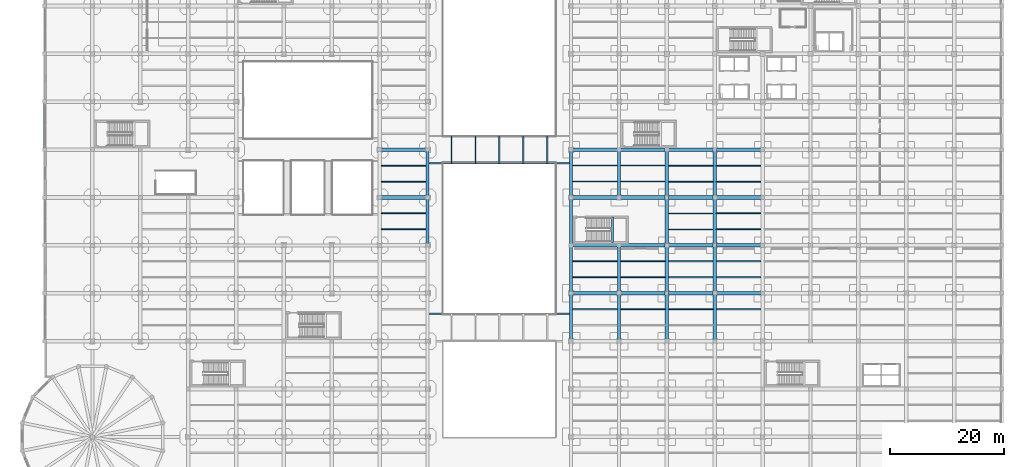
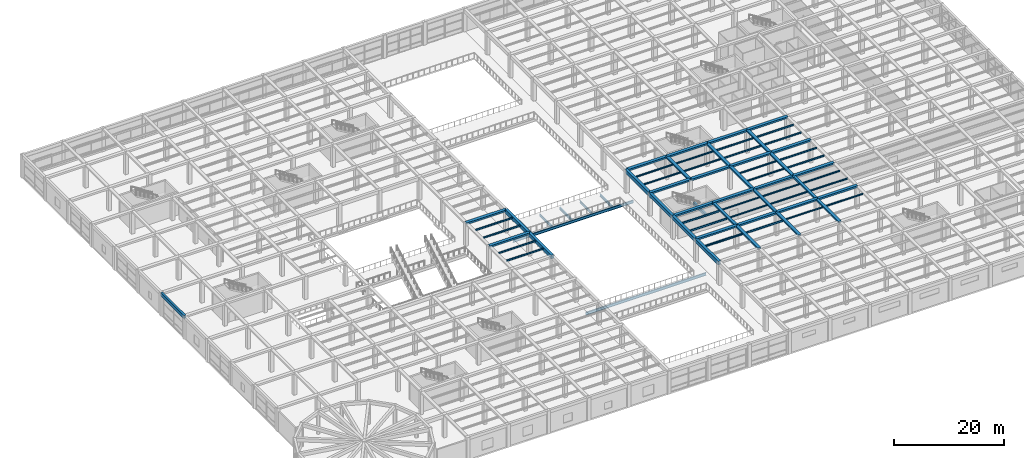
# One storey, part 16 of 65: 72 beams.
"""IFC4 building model written with IfcOpenShell, lengths in metres."""

import ifcopenshell
import ifcopenshell.guid

model = None  # the IFC model being written
_history = None  # IfcOwnerHistory: only IFC2X3 demands one
_inside = {}  # id of a spatial element -> (the spatial element, [elements in it])
_under = {}  # id of a project, library or spatial element -> (it, [spatial elements below it])
_declared = {}  # id of a project -> (the project, [libraries it declares])
_typed = {}  # id of a type object -> (the type object, [elements of that type])
_made_of = {}  # id of a material, layer set ... -> (it, [elements and type objects made of it])


def new_model(schema):
    """Start an empty IFC model of exactly this schema.

    Asked for "IFC4X3", IfcOpenShell would pick the latest addendum, in which some entities
    have other attributes; the version numbers below select the first issue.
    IFC2X3 requires an IfcOwnerHistory on every rooted entity: one is made here for all.
    """
    global model, _history
    if schema == "IFC4X3":
        model = ifcopenshell.file(schema_version=(4, 3, 0, 0))
    else:
        model = ifcopenshell.file(schema=schema)
    _inside.clear()
    _under.clear()
    _declared.clear()
    _typed.clear()
    _made_of.clear()
    _history = None
    if model.schema == "IFC2X3":
        org = make("IfcOrganization", Name="unknown")
        user = make(
            "IfcPersonAndOrganization",
            ThePerson=make("IfcPerson", FamilyName="unknown"),
            TheOrganization=org,
        )
        app = make(
            "IfcApplication",
            ApplicationDeveloper=org,
            Version="unknown",
            ApplicationFullName="unknown",
            ApplicationIdentifier="unknown",
        )
        _history = make(
            "IfcOwnerHistory",
            OwningUser=user,
            OwningApplication=app,
            ChangeAction="ADDED",
            CreationDate=0,
        )
    return model


def make(cls, **values):
    """One entity of the class cls with the attributes given. An attribute that is None is left unset."""
    return model.create_entity(
        cls, **{name: value for name, value in values.items() if value is not None}
    )


def rooted(cls, **values):
    """An entity with a GlobalId (a new one), such as an element, a storey or a relation."""
    return make(cls, GlobalId=ifcopenshell.guid.new(), OwnerHistory=_history, **values)


def si_unit(unit_type, name, prefix=None):
    """IfcSIUnit, for example si_unit("LENGTHUNIT", "METRE", prefix="MILLI")."""
    return make("IfcSIUnit", UnitType=unit_type, Prefix=prefix, Name=name)


def assignment(units):
    """IfcUnitAssignment: the units of a project."""
    return None if units is None else make("IfcUnitAssignment", Units=units)


def point(xyz):
    """IfcCartesianPoint."""
    return None if xyz is None else make("IfcCartesianPoint", Coordinates=xyz)


def direction(xyz):
    """IfcDirection."""
    return None if xyz is None else make("IfcDirection", DirectionRatios=xyz)


def frame(location, z_axis=None, x_axis=None):
    """IfcAxis2Placement3D, a coordinate frame: its origin and axes. An axis left out is left unset."""
    return make(
        "IfcAxis2Placement3D",
        Location=point(location),
        Axis=direction(z_axis),
        RefDirection=direction(x_axis),
    )


def frame_2d(location, x_axis=None):
    """IfcAxis2Placement2D, a coordinate frame in the plane: its origin and x axis."""
    return make(
        "IfcAxis2Placement2D", Location=point(location), RefDirection=direction(x_axis)
    )


def origin():
    """The frame at (0, 0, 0) with its axes left unset."""
    return frame((0.0, 0.0, 0.0))


def origin_2d():
    """The frame at (0, 0) in the plane with its x axis left unset."""
    return frame_2d((0.0, 0.0))


def place(relative_to, where):
    """IfcLocalPlacement: puts the frame where relative to a parent placement (None: the world)."""
    return make(
        "IfcLocalPlacement", PlacementRelTo=relative_to, RelativePlacement=where
    )


def context(
    kind, dimensions, precision=None, world=None, true_north=None, identifier=None
):
    """IfcGeometricRepresentationContext, for example the 3D "Model" context."""
    return make(
        "IfcGeometricRepresentationContext",
        ContextIdentifier=identifier,
        ContextType=kind,
        CoordinateSpaceDimension=dimensions,
        Precision=precision,
        WorldCoordinateSystem=world,
        TrueNorth=true_north,
    )


def subcontext(parent, identifier, kind, view, scale=None):
    """IfcGeometricRepresentationSubContext, for example "Body" below "Model"."""
    return make(
        "IfcGeometricRepresentationSubContext",
        ContextIdentifier=identifier,
        ContextType=kind,
        ParentContext=parent,
        TargetScale=scale,
        TargetView=view,
    )


def project(units=None, contexts=None):
    """IfcProject with its units and contexts."""
    return rooted(
        "IfcProject",
        Name="project",
        RepresentationContexts=contexts,
        UnitsInContext=assignment(units),
    )


def spatial(cls, under=None, at=None, **own):
    """A site, building, storey or space (cls), placed at a placement, below another one or the project."""
    s = rooted(cls, ObjectPlacement=at, **own)
    if under is not None:
        _under.setdefault(under.id(), (under, []))[1].append(s)
    return s


def profile(cls, at=None, kind="AREA", **sizes):
    """A parametric profile (cls). Its sizes go by their IFC names, for example OverallWidth=200.0."""
    return make(cls, ProfileType=kind, Position=at, **sizes)


def rectangle(**sizes):
    """IfcRectangleProfileDef."""
    return profile("IfcRectangleProfileDef", **sizes)


def i_section(**sizes):
    """IfcIShapeProfileDef."""
    return profile("IfcIShapeProfileDef", **sizes)


def extrude(swept, where, along, depth):
    """IfcExtrudedAreaSolid: the profile swept, set in the frame where, extruded along a direction by depth."""
    return make(
        "IfcExtrudedAreaSolid",
        SweptArea=swept,
        Position=where,
        ExtrudedDirection=direction(along),
        Depth=depth,
    )


def shape(context_of_items, identifier, shape_type, items):
    """IfcShapeRepresentation: the items that make up one representation, for example the "Body"."""
    return make(
        "IfcShapeRepresentation",
        ContextOfItems=context_of_items,
        RepresentationIdentifier=identifier,
        RepresentationType=shape_type,
        Items=items,
    )


def material(Name=None, Category=None):
    """IfcMaterial."""
    return make("IfcMaterial", Name=Name, Category=Category)


def material_profile(
    of_material, cross_section, Name=None, Category=None, Priority=None
):
    """IfcMaterialProfile: a cross section and its material."""
    return make(
        "IfcMaterialProfile",
        Name=Name,
        Material=of_material,
        Profile=cross_section,
        Priority=Priority,
        Category=Category,
    )


def profile_set(profiles, Name=None, composite=None):
    """IfcMaterialProfileSet."""
    return make(
        "IfcMaterialProfileSet",
        Name=Name,
        MaterialProfiles=profiles,
        CompositeProfile=composite,
    )


def made_of(thing, what):
    """Note that an element or type object is made of a material, layer set ...; save() writes the relation."""
    if what is not None:
        _made_of.setdefault(what.id(), (what, []))[1].append(thing)
    return thing


def type_object(cls, material=None, **own):
    """A type object (cls), such as IfcWallType, which elements share."""
    return made_of(rooted(cls, **own), material)


def element(
    cls,
    number,
    at=None,
    inside=None,
    cuts=None,
    type_object=None,
    material=None,
    context=None,
    identifier="Body",
    shape_type=None,
    held_by="IfcProductDefinitionShape",
    body=None,
    shapes=None,
    **own,
):
    """One element of the class cls, such as IfcWall. Its Tag is "e" and its number.

    at: its placement. inside: the storey or other place that contains it. cuts: it is an
    opening in that element (IfcRelVoidsElement). A single representation is given by context,
    identifier, shape_type and body (its items); several are given by shapes. held_by: the class
    of the entity that holds the representations. save() writes the other relations.
    """
    e = rooted(cls, Tag="e%d" % number, ObjectPlacement=at, **own)
    if body is not None:
        shapes = [shape(context, identifier, shape_type, body)]
    if shapes is not None:
        e.Representation = make(held_by, Representations=shapes)
    if inside is not None:
        _inside.setdefault(inside.id(), (inside, []))[1].append(e)
    if cuts is not None:
        rooted(
            "IfcRelVoidsElement", RelatingBuildingElement=cuts, RelatedOpeningElement=e
        )
    if type_object is not None:
        _typed.setdefault(type_object.id(), (type_object, []))[1].append(e)
    return made_of(e, material)


def aggregate(whole, parts):
    """IfcRelAggregates: a whole, such as a stair, and the parts it consists of."""
    return rooted("IfcRelAggregates", RelatingObject=whole, RelatedObjects=parts)


def save(model, path):
    """Write the relations noted so far, then the file.

    IfcRelAggregates (storeys below a building ...), IfcRelContainedInSpatialStructure (elements
    in a storey), IfcRelDefinesByType, IfcRelAssociatesMaterial and IfcRelDeclares: one each for
    every whole, place, type object, material and project.
    """
    for whole, parts in _under.values():
        aggregate(whole, parts)
    for where, things in _inside.values():
        rooted(
            "IfcRelContainedInSpatialStructure",
            RelatedElements=things,
            RelatingStructure=where,
        )
    for kind, things in _typed.values():
        rooted("IfcRelDefinesByType", RelatedObjects=things, RelatingType=kind)
    for what, things in _made_of.values():
        rooted("IfcRelAssociatesMaterial", RelatedObjects=things, RelatingMaterial=what)
    for by, libraries in _declared.values():
        rooted("IfcRelDeclares", RelatingContext=by, RelatedDefinitions=libraries)
    model.write(path)


model = new_model("IFC4")

# Units and contexts
model_context = context("Model", 3, precision=1e-05, world=origin(), true_north=direction((0.0, 1.0)))
body_context = subcontext(model_context, "Body", "Model", "MODEL_VIEW")
ifc_project = project(units=[si_unit("LENGTHUNIT", "METRE"), si_unit("AREAUNIT", "SQUARE_METRE"), si_unit("VOLUMEUNIT", "CUBIC_METRE"), si_unit("PLANEANGLEUNIT", "RADIAN"), si_unit("MASSUNIT", "GRAM", prefix="KILO")], contexts=[model_context])

# Site, building, storey
site_placement = place(None, origin())
site = spatial("IfcSite", under=ifc_project, at=site_placement, CompositionType="ELEMENT")
building_placement = place(site_placement, origin())
building = spatial("IfcBuilding", under=site, at=building_placement, Name="Almacenes y Pasaje Nevantli", CompositionType="ELEMENT")
storey_placement = place(building_placement, frame((0.0, 0.0, 16.800048828125)))
storey = spatial("IfcBuildingStorey", under=building, at=storey_placement, Name="L04", CompositionType="ELEMENT", Elevation=16.800048828125)

# Beams
ifc_material_1 = material(Name="Concrete C35/45", Category="concrete")
ifc_material_profile_1 = material_profile(ifc_material_1, rectangle(XDim=0.39990234375, YDim=0.60009765625, at=origin_2d()), Name="RC-BM-400x600")
ifc_profile_set_1 = profile_set([ifc_material_profile_1], Name="Concrete C35/45")
beam_type_1 = type_object("IfcBeamType", Name="BM-RC-400x600", PredefinedType="SPANDREL", material=ifc_profile_set_1)
beam_1_placement = place(storey_placement, frame((99.64990234375, 42.5, 2.199951171875), z_axis=(0.0, 1.0, 0.0), x_axis=(-1.0, 0.0, 0.0)))
element("IfcBeam", 1, at=beam_1_placement, inside=storey, type_object=beam_type_1, Name="L04 Stair ST-08 Half-Landing Support Beam", PredefinedType="SPANDREL", context=body_context, shape_type="SweptSolid", body=[
    extrude(rectangle(XDim=0.39990234375, YDim=0.60009765625, at=origin_2d()), origin(), (0.0, 0.0, 1.0), 4.449951171875),
])
ifc_material_2 = material(Name="Concrete C35/45", Category="concrete")
ifc_material_profile_2 = material_profile(ifc_material_2, rectangle(XDim=0.449951171875, YDim=0.699951171875, at=origin_2d()), Name="RC-BM-450x700")
ifc_profile_set_2 = profile_set([ifc_material_profile_2], Name="Concrete C35/45")
beam_type_2 = type_object("IfcBeamType", Name="BM-RC-450x700", PredefinedType="SPANDREL", material=ifc_profile_set_2)
beam_2_placement = place(storey_placement, frame((0.0, 58.800048828125, 4.75), z_axis=(0.0, 1.0, 0.0), x_axis=(-1.0, 0.0, 0.0)))
element("IfcBeam", 2, at=beam_2_placement, inside=storey, type_object=beam_type_2, Name="L04 North-South Reinforced Concrete Beam #2997", PredefinedType="SPANDREL", context=body_context, shape_type="SweptSolid", body=[
    extrude(rectangle(XDim=0.449951171875, YDim=0.699951171875, at=origin_2d()), origin(), (0.0, 0.0, 1.0), 8.39990234375),
])
ifc_material_3 = material(Name="Concrete C35/45", Category="concrete")
ifc_material_profile_3 = material_profile(ifc_material_3, rectangle(XDim=0.550048828125, YDim=0.800048828125, at=origin_2d()), Name="RC-BM-550x800")
ifc_profile_set_3 = profile_set([ifc_material_profile_3], Name="Concrete C35/45")
beam_type_3 = type_object("IfcBeamType", Name="BM-RC-550x800", PredefinedType="BEAM", material=ifc_profile_set_3)
beam_3_placement = place(storey_placement, frame((67.199951171875, 42.0, 4.699951171875), z_axis=(0.0, 1.0, 0.0), x_axis=(-1.0, 0.0, 0.0)))
element("IfcBeam", 3, at=beam_3_placement, inside=storey, type_object=beam_type_3, Name="L04 North-South Reinforced Concrete Beam #3086", PredefinedType="BEAM", context=body_context, shape_type="SweptSolid", body=[
    extrude(rectangle(XDim=0.550048828125, YDim=0.800048828125, at=origin_2d()), origin(), (0.0, 0.0, 1.0), 8.39990234375),
])
for number, where, z_axis, x_axis, name in (
    (4, (67.199951171875, 50.39990234375, 4.699951171875), (0.0, 1.0, 0.0), (-1.0, 0.0, 0.0), "L04 North-South Reinforced Concrete Beam #3087"),
    (5, (92.39990234375, 25.199951171875, 4.699951171875), (0.0, 1.0, 0.0), (-1.0, 0.0, 0.0), "L04 North-South Reinforced Concrete Beam #3098"),
):
    element("IfcBeam", number, at=place(storey_placement, frame(where, z_axis=z_axis, x_axis=x_axis)), inside=storey, type_object=beam_type_3, Name=name, PredefinedType="BEAM", context=body_context, shape_type="SweptSolid", body=[
        extrude(rectangle(XDim=0.550048828125, YDim=0.800048828125, at=origin_2d()), origin(), (0.0, 0.0, 1.0), 8.400146484375),
    ])
for number, where, z_axis, x_axis, name in (
    (6, (92.39990234375, 33.60009765625, 4.699951171875), (0.0, 1.0, 0.0), (-1.0, 0.0, 0.0), "L04 North-South Reinforced Concrete Beam #3099"),
    (7, (92.39990234375, 42.0, 4.699951171875), (0.0, 1.0, 0.0), (-1.0, 0.0, 0.0), "L04 North-South Reinforced Concrete Beam #3100"),
):
    element("IfcBeam", number, at=place(storey_placement, frame(where, z_axis=z_axis, x_axis=x_axis)), inside=storey, type_object=beam_type_3, Name=name, PredefinedType="BEAM", context=body_context, shape_type="SweptSolid", body=[
        extrude(rectangle(XDim=0.550048828125, YDim=0.800048828125, at=origin_2d()), origin(), (0.0, 0.0, 1.0), 8.39990234375),
    ])
beam_4_placement = place(storey_placement, frame((92.39990234375, 50.39990234375, 4.699951171875), z_axis=(0.0, 1.0, 0.0), x_axis=(-1.0, 0.0, 0.0)))
element("IfcBeam", 8, at=beam_4_placement, inside=storey, type_object=beam_type_3, Name="L04 North-South Reinforced Concrete Beam #3101", PredefinedType="BEAM", context=body_context, shape_type="SweptSolid", body=[
    extrude(rectangle(XDim=0.550048828125, YDim=0.800048828125, at=origin_2d()), origin(), (0.0, 0.0, 1.0), 8.400146484375),
])
ifc_material_4 = material(Name="Concrete C35/45", Category="concrete")
ifc_material_profile_4 = material_profile(ifc_material_4, rectangle(XDim=0.60009765625, YDim=0.320068359375, at=origin_2d()), Name="RC-BM-600x320")
ifc_profile_set_4 = profile_set([ifc_material_profile_4], Name="Concrete C35/45")
beam_type_4 = type_object("IfcBeamType", Name="BM-RC-600x320", PredefinedType="BEAM", material=ifc_profile_set_4)
beam_5_placement = place(storey_placement, frame((100.800048828125, 25.199951171875, 4.93994140625), z_axis=(0.0, 1.0, 0.0), x_axis=(-1.0, 0.0, 0.0)))
element("IfcBeam", 9, at=beam_5_placement, inside=storey, type_object=beam_type_4, Name="L04 North-South Reinforced Concrete Beam #3112", PredefinedType="BEAM", context=body_context, shape_type="SweptSolid", body=[
    extrude(rectangle(XDim=0.60009765625, YDim=0.320068359375, at=origin_2d()), origin(), (0.0, 0.0, 1.0), 8.400146484375),
])
beam_6_placement = place(storey_placement, frame((109.199951171875, 33.60009765625, 4.93994140625), z_axis=(0.0, 1.0, 0.0), x_axis=(-1.0, 0.0, 0.0)))
element("IfcBeam", 10, at=beam_6_placement, inside=storey, type_object=beam_type_4, Name="L04 North-South Reinforced Concrete Beam #3126", PredefinedType="BEAM", context=body_context, shape_type="SweptSolid", body=[
    extrude(rectangle(XDim=0.60009765625, YDim=0.320068359375, at=origin_2d()), origin(), (0.0, 0.0, 1.0), 8.39990234375),
])
for number, where, z_axis, x_axis, name in (
    (11, (109.199951171875, 50.39990234375, 4.93994140625), (0.0, 1.0, 0.0), (-1.0, 0.0, 0.0), "L04 North-South Reinforced Concrete Beam #3128"),
    (12, (117.60009765625, 25.199951171875, 4.93994140625), (0.0, 1.0, 0.0), (-1.0, 0.0, 0.0), "L04 North-South Reinforced Concrete Beam #3138"),
):
    element("IfcBeam", number, at=place(storey_placement, frame(where, z_axis=z_axis, x_axis=x_axis)), inside=storey, type_object=beam_type_4, Name=name, PredefinedType="BEAM", context=body_context, shape_type="SweptSolid", body=[
        extrude(rectangle(XDim=0.60009765625, YDim=0.320068359375, at=origin_2d()), origin(), (0.0, 0.0, 1.0), 8.400146484375),
    ])
beam_7_placement = place(storey_placement, frame((117.60009765625, 42.0, 4.93994140625), z_axis=(0.0, 1.0, 0.0), x_axis=(-1.0, 0.0, 0.0)))
element("IfcBeam", 13, at=beam_7_placement, inside=storey, type_object=beam_type_4, Name="L04 North-South Reinforced Concrete Beam #3140", PredefinedType="BEAM", context=body_context, shape_type="SweptSolid", body=[
    extrude(rectangle(XDim=0.60009765625, YDim=0.320068359375, at=origin_2d()), origin(), (0.0, 0.0, 1.0), 8.39990234375),
])
ifc_material_5 = material(Name="Concrete C35/45", Category="concrete")
ifc_material_profile_5 = material_profile(ifc_material_5, rectangle(XDim=0.60009765625, YDim=0.340087890625, at=origin_2d()), Name="RC-BM-600x340")
ifc_profile_set_5 = profile_set([ifc_material_profile_5], Name="Concrete C35/45")
beam_type_5 = type_object("IfcBeamType", Name="BM-RC-600x340", PredefinedType="BEAM", material=ifc_profile_set_5)
beam_8_placement = place(storey_placement, frame((100.800048828125, 33.60009765625, 4.929931640625), z_axis=(0.0, 1.0, 0.0), x_axis=(-1.0, 0.0, 0.0)))
element("IfcBeam", 14, at=beam_8_placement, inside=storey, type_object=beam_type_5, Name="L04 North-South Reinforced Concrete Beam #3113", PredefinedType="BEAM", context=body_context, shape_type="SweptSolid", body=[
    extrude(rectangle(XDim=0.60009765625, YDim=0.340087890625, at=origin_2d()), origin(), (0.0, 0.0, 1.0), 8.39990234375),
])
for number, where, z_axis, x_axis, name in (
    (15, (100.800048828125, 50.39990234375, 4.929931640625), (0.0, 1.0, 0.0), (-1.0, 0.0, 0.0), "L04 North-South Reinforced Concrete Beam #3114"),
    (16, (109.199951171875, 25.199951171875, 4.929931640625), (0.0, 1.0, 0.0), (-1.0, 0.0, 0.0), "L04 North-South Reinforced Concrete Beam #3125"),
):
    element("IfcBeam", number, at=place(storey_placement, frame(where, z_axis=z_axis, x_axis=x_axis)), inside=storey, type_object=beam_type_5, Name=name, PredefinedType="BEAM", context=body_context, shape_type="SweptSolid", body=[
        extrude(rectangle(XDim=0.60009765625, YDim=0.340087890625, at=origin_2d()), origin(), (0.0, 0.0, 1.0), 8.400146484375),
    ])
for number, where, z_axis, x_axis, name in (
    (17, (109.199951171875, 42.0, 4.929931640625), (0.0, 1.0, 0.0), (-1.0, 0.0, 0.0), "L04 North-South Reinforced Concrete Beam #3127"),
    (18, (117.60009765625, 33.60009765625, 4.929931640625), (0.0, 1.0, 0.0), (-1.0, 0.0, 0.0), "L04 North-South Reinforced Concrete Beam #3139"),
):
    element("IfcBeam", number, at=place(storey_placement, frame(where, z_axis=z_axis, x_axis=x_axis)), inside=storey, type_object=beam_type_5, Name=name, PredefinedType="BEAM", context=body_context, shape_type="SweptSolid", body=[
        extrude(rectangle(XDim=0.60009765625, YDim=0.340087890625, at=origin_2d()), origin(), (0.0, 0.0, 1.0), 8.39990234375),
    ])
beam_9_placement = place(storey_placement, frame((117.60009765625, 50.39990234375, 4.929931640625), z_axis=(0.0, 1.0, 0.0), x_axis=(-1.0, 0.0, 0.0)))
element("IfcBeam", 19, at=beam_9_placement, inside=storey, type_object=beam_type_5, Name="L04 North-South Reinforced Concrete Beam #3141", PredefinedType="BEAM", context=body_context, shape_type="SweptSolid", body=[
    extrude(rectangle(XDim=0.60009765625, YDim=0.340087890625, at=origin_2d()), origin(), (0.0, 0.0, 1.0), 8.400146484375),
])
ifc_material_6 = material(Name="Concrete C35/45", Category="concrete")
ifc_material_profile_6 = material_profile(ifc_material_6, rectangle(XDim=0.64990234375, YDim=0.35009765625, at=origin_2d()), Name="RC-BM-650x350")
ifc_profile_set_6 = profile_set([ifc_material_profile_6], Name="Concrete C35/45")
beam_type_6 = type_object("IfcBeamType", Name="BM-RC-650x350", PredefinedType="BEAM", material=ifc_profile_set_6)
for number, where, z_axis, x_axis, name in (
    (20, (92.39990234375, 33.60009765625, 4.925048828125), (1.0, 0.0, 0.0), (0.0, 1.0, 0.0), "L04 East-West Reinforced Concrete Beam #2820"),
    (21, (109.199951171875, 33.60009765625, 4.925048828125), (1.0, 0.0, 0.0), (0.0, 1.0, 0.0), "L04 East-West Reinforced Concrete Beam #2822"),
):
    element("IfcBeam", number, at=place(storey_placement, frame(where, z_axis=z_axis, x_axis=x_axis)), inside=storey, type_object=beam_type_6, Name=name, PredefinedType="BEAM", context=body_context, shape_type="SweptSolid", body=[
        extrude(rectangle(XDim=0.64990234375, YDim=0.35009765625, at=origin_2d()), origin(), (0.0, 0.0, 1.0), 8.400146484375),
    ])
for number, where, z_axis, x_axis, name in (
    (22, (100.800048828125, 42.0, 4.925048828125), (1.0, 0.0, 0.0), (0.0, 1.0, 0.0), "L04 East-West Reinforced Concrete Beam #2838"),
    (23, (117.60009765625, 42.0, 4.925048828125), (1.0, 0.0, 0.0), (0.0, 1.0, 0.0), "L04 East-West Reinforced Concrete Beam #2840"),
    (24, (58.800048828125, 50.39990234375, 4.925048828125), (1.0, 0.0, 0.0), (0.0, 1.0, 0.0), "L04 East-West Reinforced Concrete Beam #2850"),
):
    element("IfcBeam", number, at=place(storey_placement, frame(where, z_axis=z_axis, x_axis=x_axis)), inside=storey, type_object=beam_type_6, Name=name, PredefinedType="BEAM", context=body_context, shape_type="SweptSolid", body=[
        extrude(rectangle(XDim=0.64990234375, YDim=0.35009765625, at=origin_2d()), origin(), (0.0, 0.0, 1.0), 8.39990234375),
    ])
for number, where, z_axis, x_axis, name in (
    (25, (92.39990234375, 50.39990234375, 4.925048828125), (1.0, 0.0, 0.0), (0.0, 1.0, 0.0), "L04 East-West Reinforced Concrete Beam #2851"),
    (26, (109.199951171875, 50.39990234375, 4.925048828125), (1.0, 0.0, 0.0), (0.0, 1.0, 0.0), "L04 East-West Reinforced Concrete Beam #2853"),
):
    element("IfcBeam", number, at=place(storey_placement, frame(where, z_axis=z_axis, x_axis=x_axis)), inside=storey, type_object=beam_type_6, Name=name, PredefinedType="BEAM", context=body_context, shape_type="SweptSolid", body=[
        extrude(rectangle(XDim=0.64990234375, YDim=0.35009765625, at=origin_2d()), origin(), (0.0, 0.0, 1.0), 8.400146484375),
    ])
for number, where, z_axis, x_axis, name in (
    (27, (100.800048828125, 58.800048828125, 4.925048828125), (1.0, 0.0, 0.0), (0.0, 1.0, 0.0), "L04 East-West Reinforced Concrete Beam #2866"),
    (28, (117.60009765625, 58.800048828125, 4.925048828125), (1.0, 0.0, 0.0), (0.0, 1.0, 0.0), "L04 East-West Reinforced Concrete Beam #2868"),
):
    element("IfcBeam", number, at=place(storey_placement, frame(where, z_axis=z_axis, x_axis=x_axis)), inside=storey, type_object=beam_type_6, Name=name, PredefinedType="BEAM", context=body_context, shape_type="SweptSolid", body=[
        extrude(rectangle(XDim=0.64990234375, YDim=0.35009765625, at=origin_2d()), origin(), (0.0, 0.0, 1.0), 8.39990234375),
    ])
ifc_material_7 = material(Name="Concrete C35/45", Category="concrete")
ifc_material_profile_7 = material_profile(ifc_material_7, rectangle(XDim=0.64990234375, YDim=0.3798828125, at=origin_2d()), Name="RC-BM-650x380")
ifc_profile_set_7 = profile_set([ifc_material_profile_7], Name="Concrete C35/45")
beam_type_7 = type_object("IfcBeamType", Name="BM-RC-650x380", PredefinedType="BEAM", material=ifc_profile_set_7)
for number, where, z_axis, x_axis, name in (
    (29, (100.800048828125, 33.60009765625, 4.909912109375), (1.0, 0.0, 0.0), (0.0, 1.0, 0.0), "L04 East-West Reinforced Concrete Beam #2821"),
    (30, (117.60009765625, 33.60009765625, 4.909912109375), (1.0, 0.0, 0.0), (0.0, 1.0, 0.0), "L04 East-West Reinforced Concrete Beam #2823"),
):
    element("IfcBeam", number, at=place(storey_placement, frame(where, z_axis=z_axis, x_axis=x_axis)), inside=storey, type_object=beam_type_7, Name=name, PredefinedType="BEAM", context=body_context, shape_type="SweptSolid", body=[
        extrude(rectangle(XDim=0.64990234375, YDim=0.3798828125, at=origin_2d()), origin(), (0.0, 0.0, 1.0), 8.39990234375),
    ])
for number, where, z_axis, x_axis, name in (
    (31, (92.39990234375, 42.0, 4.909912109375), (1.0, 0.0, 0.0), (0.0, 1.0, 0.0), "L04 East-West Reinforced Concrete Beam #2837"),
    (32, (109.199951171875, 42.0, 4.909912109375), (1.0, 0.0, 0.0), (0.0, 1.0, 0.0), "L04 East-West Reinforced Concrete Beam #2839"),
):
    element("IfcBeam", number, at=place(storey_placement, frame(where, z_axis=z_axis, x_axis=x_axis)), inside=storey, type_object=beam_type_7, Name=name, PredefinedType="BEAM", context=body_context, shape_type="SweptSolid", body=[
        extrude(rectangle(XDim=0.64990234375, YDim=0.3798828125, at=origin_2d()), origin(), (0.0, 0.0, 1.0), 8.400146484375),
    ])
for number, where, z_axis, x_axis, name in (
    (33, (100.800048828125, 50.39990234375, 4.909912109375), (1.0, 0.0, 0.0), (0.0, 1.0, 0.0), "L04 East-West Reinforced Concrete Beam #2852"),
    (34, (117.60009765625, 50.39990234375, 4.909912109375), (1.0, 0.0, 0.0), (0.0, 1.0, 0.0), "L04 East-West Reinforced Concrete Beam #2854"),
    (35, (58.800048828125, 58.800048828125, 4.909912109375), (1.0, 0.0, 0.0), (0.0, 1.0, 0.0), "L04 East-West Reinforced Concrete Beam #2864"),
):
    element("IfcBeam", number, at=place(storey_placement, frame(where, z_axis=z_axis, x_axis=x_axis)), inside=storey, type_object=beam_type_7, Name=name, PredefinedType="BEAM", context=body_context, shape_type="SweptSolid", body=[
        extrude(rectangle(XDim=0.64990234375, YDim=0.3798828125, at=origin_2d()), origin(), (0.0, 0.0, 1.0), 8.39990234375),
    ])
for number, where, z_axis, x_axis, name in (
    (36, (92.39990234375, 58.800048828125, 4.909912109375), (1.0, 0.0, 0.0), (0.0, 1.0, 0.0), "L04 East-West Reinforced Concrete Beam #2865"),
    (37, (109.199951171875, 58.800048828125, 4.909912109375), (1.0, 0.0, 0.0), (0.0, 1.0, 0.0), "L04 East-West Reinforced Concrete Beam #2867"),
):
    element("IfcBeam", number, at=place(storey_placement, frame(where, z_axis=z_axis, x_axis=x_axis)), inside=storey, type_object=beam_type_7, Name=name, PredefinedType="BEAM", context=body_context, shape_type="SweptSolid", body=[
        extrude(rectangle(XDim=0.64990234375, YDim=0.3798828125, at=origin_2d()), origin(), (0.0, 0.0, 1.0), 8.400146484375),
    ])
ifc_material_8 = material(Name="Steel ASTM A992", Category="steel")
ifc_material_profile_8 = material_profile(ifc_material_8, i_section(OverallWidth=0.1650390625, OverallDepth=0.306884765625, WebThickness=0.006591796875, FlangeThickness=0.01025390625, at=origin_2d()), Name="IR 305x44.6")
ifc_profile_set_8 = profile_set([ifc_material_profile_8], Name="Steel ASTM A992")
beam_type_8 = type_object("IfcBeamType", Name="BM-STL-IR-305x44p6", PredefinedType="JOIST", material=ifc_profile_set_8)
for number, where, z_axis, x_axis, name in (
    (38, (101.10009765625, 36.39990234375, 4.9384765625), (1.0, 0.0, 0.0), (0.0, 1.0, 0.0), "L04 Secondary Steel Floor Joist #1167"),
    (39, (101.10009765625, 39.199951171875, 4.9384765625), (1.0, 0.0, 0.0), (0.0, 1.0, 0.0), "L04 Secondary Steel Floor Joist #1168"),
):
    element("IfcBeam", number, at=place(storey_placement, frame(where, z_axis=z_axis, x_axis=x_axis)), inside=storey, type_object=beam_type_8, Name=name, PredefinedType="JOIST", context=body_context, shape_type="SweptSolid", body=[
        extrude(i_section(OverallWidth=0.1650390625, OverallDepth=0.306884765625, WebThickness=0.006591796875, FlangeThickness=0.01025390625, at=origin_2d()), origin(), (0.0, 0.0, 1.0), 7.7998046875),
    ])
beam_10_placement = place(storey_placement, frame((109.5, 30.800048828125, 4.9384765625), z_axis=(1.0, 0.0, 0.0), x_axis=(0.0, 1.0, 0.0)))
element("IfcBeam", 40, at=beam_10_placement, inside=storey, type_object=beam_type_8, Name="L04 Secondary Steel Floor Joist #1190", PredefinedType="JOIST", context=body_context, shape_type="SweptSolid", body=[
    extrude(i_section(OverallWidth=0.1650390625, OverallDepth=0.306884765625, WebThickness=0.006591796875, FlangeThickness=0.01025390625, at=origin_2d()), origin(), (0.0, 0.0, 1.0), 7.800048828125),
])
ifc_material_9 = material(Name="Steel ASTM A992", Category="steel")
ifc_material_profile_9 = material_profile(ifc_material_9, i_section(OverallWidth=0.202880859375, OverallDepth=0.304931640625, WebThickness=0.007568359375, FlangeThickness=0.01318359375, at=origin_2d()), Name="IR 305x59.5")
ifc_profile_set_9 = profile_set([ifc_material_profile_9], Name="Steel ASTM A992")
beam_type_9 = type_object("IfcBeamType", Name="BM-STL-IR-305x59p5", PredefinedType="JOIST", material=ifc_profile_set_9)
for number, where, z_axis, x_axis, name in (
    (41, (92.675048828125, 53.199951171875, 4.939453125), (1.0, 0.0, 0.0), (0.0, 1.0, 0.0), "L04 Secondary Steel Floor Joist #1143"),
    (42, (92.675048828125, 56.0, 4.939453125), (1.0, 0.0, 0.0), (0.0, 1.0, 0.0), "L04 Secondary Steel Floor Joist #1144"),
):
    element("IfcBeam", number, at=place(storey_placement, frame(where, z_axis=z_axis, x_axis=x_axis)), inside=storey, type_object=beam_type_9, Name=name, PredefinedType="JOIST", context=body_context, shape_type="SweptSolid", body=[
        extrude(i_section(OverallWidth=0.202880859375, OverallDepth=0.304931640625, WebThickness=0.007568359375, FlangeThickness=0.01318359375, at=origin_2d()), origin(), (0.0, 0.0, 1.0), 7.824951171875),
    ])
for number, where, z_axis, x_axis, name in (
    (43, (109.5, 36.39990234375, 4.939453125), (1.0, 0.0, 0.0), (0.0, 1.0, 0.0), "L04 Secondary Steel Floor Joist #1191"),
    (44, (109.5, 39.199951171875, 4.939453125), (1.0, 0.0, 0.0), (0.0, 1.0, 0.0), "L04 Secondary Steel Floor Joist #1192"),
    (45, (117.89990234375, 30.800048828125, 4.939453125), (1.0, 0.0, 0.0), (0.0, 1.0, 0.0), "L04 Secondary Steel Floor Joist #1216"),
):
    element("IfcBeam", number, at=place(storey_placement, frame(where, z_axis=z_axis, x_axis=x_axis)), inside=storey, type_object=beam_type_9, Name=name, PredefinedType="JOIST", context=body_context, shape_type="SweptSolid", body=[
        extrude(i_section(OverallWidth=0.202880859375, OverallDepth=0.304931640625, WebThickness=0.007568359375, FlangeThickness=0.01318359375, at=origin_2d()), origin(), (0.0, 0.0, 1.0), 7.800048828125),
    ])
ifc_material_10 = material(Name="Steel ASTM A992", Category="steel")
ifc_material_profile_10 = material_profile(ifc_material_10, i_section(OverallWidth=0.205078125, OverallDepth=0.31005859375, WebThickness=0.009521484375, FlangeThickness=0.016357421875, at=origin_2d()), Name="IR 305x74.4")
ifc_profile_set_10 = profile_set([ifc_material_profile_10], Name="Steel ASTM A992")
beam_type_10 = type_object("IfcBeamType", Name="BM-STL-IR-305x74p4", PredefinedType="JOIST", material=ifc_profile_set_10)
for number, where, z_axis, x_axis, name in (
    (46, (101.10009765625, 53.199951171875, 4.93701171875), (1.0, 0.0, 0.0), (0.0, 1.0, 0.0), "L04 Secondary Steel Floor Joist #1169"),
    (47, (101.10009765625, 56.0, 4.93701171875), (1.0, 0.0, 0.0), (0.0, 1.0, 0.0), "L04 Secondary Steel Floor Joist #1170"),
):
    element("IfcBeam", number, at=place(storey_placement, frame(where, z_axis=z_axis, x_axis=x_axis)), inside=storey, type_object=beam_type_10, Name=name, PredefinedType="JOIST", context=body_context, shape_type="SweptSolid", body=[
        extrude(i_section(OverallWidth=0.205078125, OverallDepth=0.31005859375, WebThickness=0.009521484375, FlangeThickness=0.016357421875, at=origin_2d()), origin(), (0.0, 0.0, 1.0), 7.7998046875),
    ])
for number, where, z_axis, x_axis, name in (
    (48, (109.5, 44.800048828125, 4.93701171875), (1.0, 0.0, 0.0), (0.0, 1.0, 0.0), "L04 Secondary Steel Floor Joist #1193"),
    (49, (109.5, 47.60009765625, 4.93701171875), (1.0, 0.0, 0.0), (0.0, 1.0, 0.0), "L04 Secondary Steel Floor Joist #1194"),
    (50, (117.89990234375, 36.39990234375, 4.93701171875), (1.0, 0.0, 0.0), (0.0, 1.0, 0.0), "L04 Secondary Steel Floor Joist #1217"),
    (51, (117.89990234375, 39.199951171875, 4.93701171875), (1.0, 0.0, 0.0), (0.0, 1.0, 0.0), "L04 Secondary Steel Floor Joist #1218"),
):
    element("IfcBeam", number, at=place(storey_placement, frame(where, z_axis=z_axis, x_axis=x_axis)), inside=storey, type_object=beam_type_10, Name=name, PredefinedType="JOIST", context=body_context, shape_type="SweptSolid", body=[
        extrude(i_section(OverallWidth=0.205078125, OverallDepth=0.31005859375, WebThickness=0.009521484375, FlangeThickness=0.016357421875, at=origin_2d()), origin(), (0.0, 0.0, 1.0), 7.800048828125),
    ])
ifc_material_11 = material(Name="Steel ASTM A992", Category="steel")
ifc_material_profile_11 = material_profile(ifc_material_11, i_section(OverallWidth=0.173095703125, OverallDepth=0.35302734375, WebThickness=0.0078125, FlangeThickness=0.01318359375, at=origin_2d()), Name="IR 356x56.6")
ifc_profile_set_11 = profile_set([ifc_material_profile_11], Name="Steel ASTM A992")
beam_type_11 = type_object("IfcBeamType", Name="BM-STL-IR-356x56p6", PredefinedType="JOIST", material=ifc_profile_set_11)
for number, where, z_axis, x_axis, name in (
    (52, (59.10009765625, 44.800048828125, 4.91552734375), (1.0, 0.0, 0.0), (0.0, 1.0, 0.0), "L04 Secondary Steel Floor Joist #1117"),
    (53, (59.10009765625, 47.60009765625, 4.91552734375), (1.0, 0.0, 0.0), (0.0, 1.0, 0.0), "L04 Secondary Steel Floor Joist #1118"),
):
    element("IfcBeam", number, at=place(storey_placement, frame(where, z_axis=z_axis, x_axis=x_axis)), inside=storey, type_object=beam_type_11, Name=name, PredefinedType="JOIST", context=body_context, shape_type="SweptSolid", body=[
        extrude(i_section(OverallWidth=0.173095703125, OverallDepth=0.35302734375, WebThickness=0.0078125, FlangeThickness=0.01318359375, at=origin_2d()), origin(), (0.0, 0.0, 1.0), 7.824951171875),
    ])
for number, where, z_axis, x_axis, name in (
    (54, (109.5, 53.199951171875, 4.91552734375), (1.0, 0.0, 0.0), (0.0, 1.0, 0.0), "L04 Secondary Steel Floor Joist #1195"),
    (55, (109.5, 56.0, 4.91552734375), (1.0, 0.0, 0.0), (0.0, 1.0, 0.0), "L04 Secondary Steel Floor Joist #1196"),
    (56, (117.89990234375, 44.800048828125, 4.91552734375), (1.0, 0.0, 0.0), (0.0, 1.0, 0.0), "L04 Secondary Steel Floor Joist #1219"),
    (57, (117.89990234375, 47.60009765625, 4.91552734375), (1.0, 0.0, 0.0), (0.0, 1.0, 0.0), "L04 Secondary Steel Floor Joist #1220"),
):
    element("IfcBeam", number, at=place(storey_placement, frame(where, z_axis=z_axis, x_axis=x_axis)), inside=storey, type_object=beam_type_11, Name=name, PredefinedType="JOIST", context=body_context, shape_type="SweptSolid", body=[
        extrude(i_section(OverallWidth=0.173095703125, OverallDepth=0.35302734375, WebThickness=0.0078125, FlangeThickness=0.01318359375, at=origin_2d()), origin(), (0.0, 0.0, 1.0), 7.800048828125),
    ])
ifc_material_12 = material(Name="Steel ASTM A992", Category="steel")
ifc_material_profile_12 = material_profile(ifc_material_12, i_section(OverallWidth=0.173095703125, OverallDepth=0.364013671875, WebThickness=0.009033203125, FlangeThickness=0.015625, at=origin_2d()), Name="IR 356x67.0")
ifc_profile_set_12 = profile_set([ifc_material_profile_12], Name="Steel ASTM A992")
beam_type_12 = type_object("IfcBeamType", Name="BM-STL-IR-356x67p0", PredefinedType="JOIST", material=ifc_profile_set_12)
for number, where, z_axis, x_axis, name in (
    (58, (59.10009765625, 53.199951171875, 4.909912109375), (1.0, 0.0, 0.0), (0.0, 1.0, 0.0), "L04 Secondary Steel Floor Joist #1119"),
    (59, (59.10009765625, 56.0, 4.909912109375), (1.0, 0.0, 0.0), (0.0, 1.0, 0.0), "L04 Secondary Steel Floor Joist #1120"),
):
    element("IfcBeam", number, at=place(storey_placement, frame(where, z_axis=z_axis, x_axis=x_axis)), inside=storey, type_object=beam_type_12, Name=name, PredefinedType="JOIST", context=body_context, shape_type="SweptSolid", body=[
        extrude(i_section(OverallWidth=0.173095703125, OverallDepth=0.364013671875, WebThickness=0.009033203125, FlangeThickness=0.015625, at=origin_2d()), origin(), (0.0, 0.0, 1.0), 7.824951171875),
    ])
for number, where, z_axis, x_axis, name in (
    (60, (117.89990234375, 53.199951171875, 4.909912109375), (1.0, 0.0, 0.0), (0.0, 1.0, 0.0), "L04 Secondary Steel Floor Joist #1221"),
    (61, (117.89990234375, 56.0, 4.909912109375), (1.0, 0.0, 0.0), (0.0, 1.0, 0.0), "L04 Secondary Steel Floor Joist #1222"),
):
    element("IfcBeam", number, at=place(storey_placement, frame(where, z_axis=z_axis, x_axis=x_axis)), inside=storey, type_object=beam_type_12, Name=name, PredefinedType="JOIST", context=body_context, shape_type="SweptSolid", body=[
        extrude(i_section(OverallWidth=0.173095703125, OverallDepth=0.364013671875, WebThickness=0.009033203125, FlangeThickness=0.015625, at=origin_2d()), origin(), (0.0, 0.0, 1.0), 7.800048828125),
    ])
ifc_material_13 = material(Name="Steel ASTM A992", Category="steel")
ifc_material_profile_13 = material_profile(ifc_material_13, i_section(OverallWidth=0.25390625, OverallDepth=0.35595703125, WebThickness=0.009521484375, FlangeThickness=0.016357421875, at=origin_2d()), Name="IR 356x79.0")
ifc_profile_set_13 = profile_set([ifc_material_profile_13], Name="Steel ASTM A992")
beam_type_13 = type_object("IfcBeamType", Name="BM-STL-IR-356x79p0", PredefinedType="JOIST", material=ifc_profile_set_13)
beam_11_placement = place(storey_placement, frame((92.675048828125, 30.800048828125, 4.9140625), z_axis=(1.0, 0.0, 0.0), x_axis=(0.0, 1.0, 0.0)))
element("IfcBeam", 62, at=beam_11_placement, inside=storey, type_object=beam_type_13, Name="L04 Secondary Steel Floor Joist #1140", PredefinedType="JOIST", context=body_context, shape_type="SweptSolid", body=[
    extrude(i_section(OverallWidth=0.25390625, OverallDepth=0.35595703125, WebThickness=0.009521484375, FlangeThickness=0.016357421875, at=origin_2d()), origin(), (0.0, 0.0, 1.0), 7.824951171875),
])
ifc_material_14 = material(Name="Steel ASTM A992", Category="steel")
ifc_material_profile_14 = material_profile(ifc_material_14, i_section(OverallWidth=0.178955078125, OverallDepth=0.406005859375, WebThickness=0.0087890625, FlangeThickness=0.014404296875, at=origin_2d()), Name="IR 406x67.0")
ifc_profile_set_14 = profile_set([ifc_material_profile_14], Name="Steel ASTM A992")
beam_type_14 = type_object("IfcBeamType", Name="BM-STL-IR-406x67p0", PredefinedType="JOIST", material=ifc_profile_set_14)
for number, where, z_axis, x_axis, name in (
    (63, (92.675048828125, 36.39990234375, 4.888916015625), (1.0, 0.0, 0.0), (0.0, 1.0, 0.0), "L04 Secondary Steel Floor Joist #1141"),
    (64, (92.675048828125, 39.199951171875, 4.888916015625), (1.0, 0.0, 0.0), (0.0, 1.0, 0.0), "L04 Secondary Steel Floor Joist #1142"),
):
    element("IfcBeam", number, at=place(storey_placement, frame(where, z_axis=z_axis, x_axis=x_axis)), inside=storey, type_object=beam_type_14, Name=name, PredefinedType="JOIST", context=body_context, shape_type="SweptSolid", body=[
        extrude(i_section(OverallWidth=0.178955078125, OverallDepth=0.406005859375, WebThickness=0.0087890625, FlangeThickness=0.014404296875, at=origin_2d()), origin(), (0.0, 0.0, 1.0), 7.824951171875),
    ])
beam_12_placement = place(storey_placement, frame((101.10009765625, 30.800048828125, 4.888916015625), z_axis=(1.0, 0.0, 0.0), x_axis=(0.0, 1.0, 0.0)))
element("IfcBeam", 65, at=beam_12_placement, inside=storey, type_object=beam_type_14, Name="L04 Secondary Steel Floor Joist #1166", PredefinedType="JOIST", context=body_context, shape_type="SweptSolid", body=[
    extrude(i_section(OverallWidth=0.178955078125, OverallDepth=0.406005859375, WebThickness=0.0087890625, FlangeThickness=0.014404296875, at=origin_2d()), origin(), (0.0, 0.0, 1.0), 7.7998046875),
])
ifc_material_15 = material(Name="Steel ASTM A992", Category="steel")
ifc_material_profile_15 = material_profile(ifc_material_15, i_section(OverallWidth=0.2109375, OverallDepth=0.5390625, WebThickness=0.01171875, FlangeThickness=0.018798828125, at=origin_2d()), Name="IR 533x108.6")
ifc_profile_set_15 = profile_set([ifc_material_profile_15], Name="Steel ASTM A992")
beam_type_15 = type_object("IfcBeamType", Name="BM-STL-IR-533x108p6", PredefinedType="BEAM", material=ifc_profile_set_15)
for number, where, z_axis, x_axis, name in (
    (66, (71.39990234375, 56.39990234375, -0.57763671875), (0.0, 1.0, 0.0), (-1.0, 0.0, 0.0), "L04 Arcade Gallery Bridge Cross Beam #52"),
    (67, (75.60009765625, 56.39990234375, -0.57763671875), (0.0, 1.0, 0.0), (-1.0, 0.0, 0.0), "L04 Arcade Gallery Bridge Cross Beam #53"),
    (68, (79.800048828125, 56.39990234375, -0.57763671875), (0.0, 1.0, 0.0), (-1.0, 0.0, 0.0), "L04 Arcade Gallery Bridge Cross Beam #54"),
    (69, (84.0, 56.39990234375, -0.57763671875), (0.0, 1.0, 0.0), (-1.0, 0.0, 0.0), "L04 Arcade Gallery Bridge Cross Beam #55"),
    (70, (88.199951171875, 56.39990234375, -0.57763671875), (0.0, 1.0, 0.0), (-1.0, 0.0, 0.0), "L04 Arcade Gallery Bridge Cross Beam #56"),
):
    element("IfcBeam", number, at=place(storey_placement, frame(where, z_axis=z_axis, x_axis=x_axis)), inside=storey, type_object=beam_type_15, Name=name, PredefinedType="BEAM", context=body_context, shape_type="SweptSolid", body=[
        extrude(i_section(OverallWidth=0.2109375, OverallDepth=0.5390625, WebThickness=0.01171875, FlangeThickness=0.018798828125, at=origin_2d()), origin(), (0.0, 0.0, 1.0), 4.800048828125),
    ])
ifc_material_16 = material(Name="Steel ASTM A992", Category="steel")
ifc_material_profile_16 = material_profile(ifc_material_16, i_section(OverallWidth=0.22802734375, OverallDepth=0.60693359375, WebThickness=0.01123046875, FlangeThickness=0.017333984375, at=origin_2d()), Name="IR 610x113.0")
ifc_profile_set_16 = profile_set([ifc_material_profile_16], Name="Steel ASTM A992")
beam_type_16 = type_object("IfcBeamType", Name="BM-STL-IR-610x113p0", PredefinedType="BEAM", material=ifc_profile_set_16)
beam_13_placement = place(storey_placement, frame((67.199951171875, 56.39990234375, -0.611572265625), z_axis=(1.0, 0.0, 0.0), x_axis=(0.0, 1.0, 0.0)))
element("IfcBeam", 71, at=beam_13_placement, inside=storey, type_object=beam_type_16, Name="L04 Arcade Gallery Bridge Steel Girder BRG-ARC-2.1", PredefinedType="BEAM", context=body_context, shape_type="SweptSolid", body=[
    extrude(i_section(OverallWidth=0.22802734375, OverallDepth=0.60693359375, WebThickness=0.01123046875, FlangeThickness=0.017333984375, at=origin_2d()), origin(), (0.0, 0.0, 1.0), 25.199951171875),
])
ifc_material_17 = material(Name="Steel ASTM A992", Category="steel")
ifc_material_profile_17 = material_profile(ifc_material_17, i_section(OverallWidth=0.22998046875, OverallDepth=0.616943359375, WebThickness=0.01318359375, FlangeThickness=0.022216796875, at=origin_2d()), Name="IR 610x140.0")
ifc_profile_set_17 = profile_set([ifc_material_profile_17], Name="Steel ASTM A992")
beam_type_17 = type_object("IfcBeamType", Name="BM-STL-IR-610x140p0", PredefinedType="BEAM", material=ifc_profile_set_17)
beam_14_placement = place(storey_placement, frame((67.199951171875, 30.0, -0.616455078125), z_axis=(1.0, 0.0, 0.0), x_axis=(0.0, 1.0, 0.0)))
element("IfcBeam", 72, at=beam_14_placement, inside=storey, type_object=beam_type_17, Name="L04 Arcade Gallery Bridge Steel Girder BRG-ARC-1.2", PredefinedType="BEAM", context=body_context, shape_type="SweptSolid", body=[
    extrude(i_section(OverallWidth=0.22998046875, OverallDepth=0.616943359375, WebThickness=0.01318359375, FlangeThickness=0.022216796875, at=origin_2d()), origin(), (0.0, 0.0, 1.0), 25.199951171875),
])

save(model, "model.ifc")
